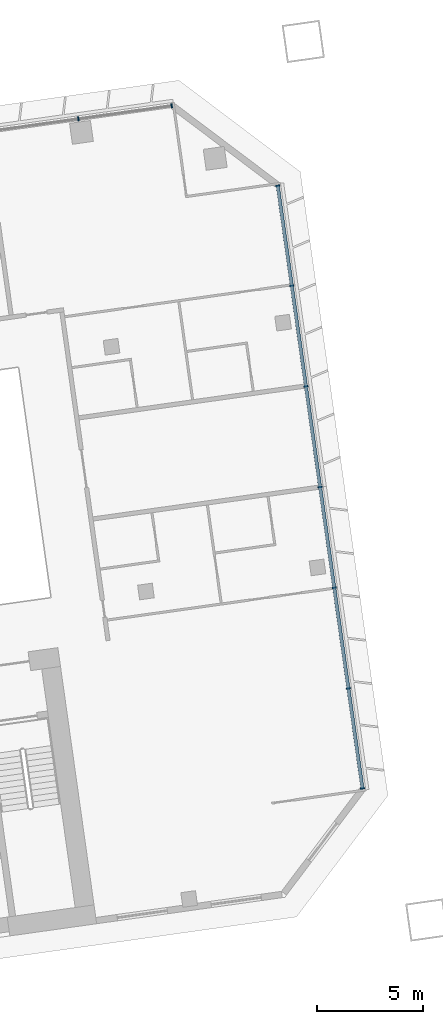
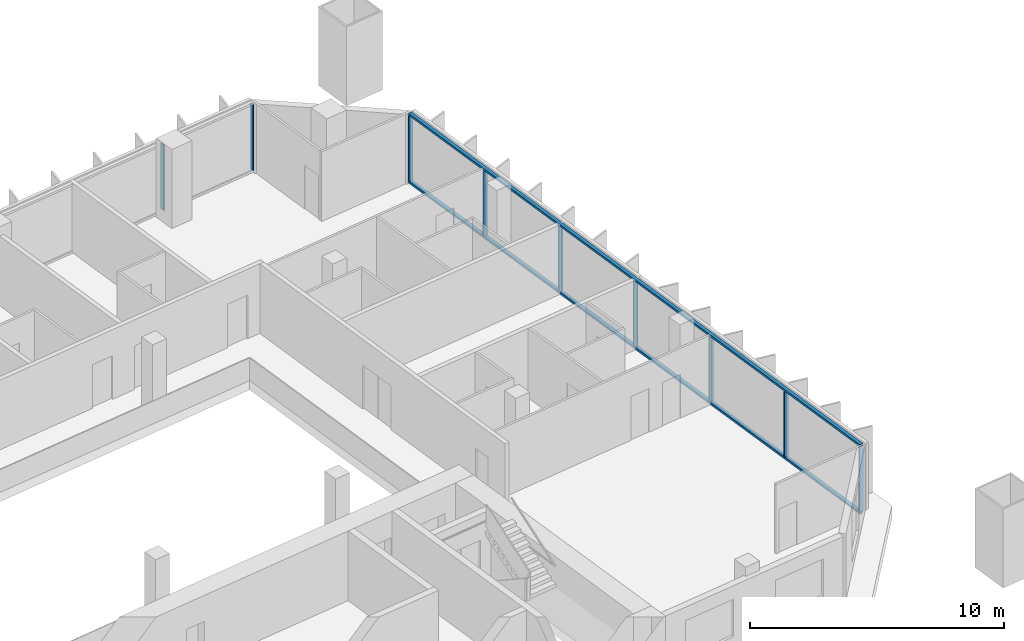
# One storey, part 11 of 24: 11 members, 2 elements without a shape of their own.
"""IFC4 building model written with IfcOpenShell, lengths in metres."""

from ifc_helpers import new_model, si_unit, direction, frame, origin, origin_2d, place, context, subcontext, project, spatial, rectangle, extrude, material, material_profile, profile_set, type_object, element, aggregate, save


model = new_model("IFC4")

# Units and contexts
model_context = context("Model", 3, precision=1e-05, world=origin(), true_north=direction((0.0, 1.0)))
body_context = subcontext(model_context, "Body", "Model", "MODEL_VIEW")
ifc_project = project(units=[si_unit("LENGTHUNIT", "METRE"), si_unit("AREAUNIT", "SQUARE_METRE"), si_unit("VOLUMEUNIT", "CUBIC_METRE"), si_unit("PLANEANGLEUNIT", "RADIAN"), si_unit("MASSUNIT", "GRAM", prefix="KILO")], contexts=[model_context])

# Site, building, storey
site_placement = place(None, origin())
site = spatial("IfcSite", under=ifc_project, at=site_placement, CompositionType="ELEMENT")
building_placement = place(site_placement, origin())
building = spatial("IfcBuilding", under=site, at=building_placement, Name="Mirante Cascada Hotel Towers", CompositionType="ELEMENT")
storey_placement = place(building_placement, frame((0.0, 0.0, 50.9)))
storey = spatial("IfcBuildingStorey", under=building, at=storey_placement, Name="L09", CompositionType="ELEMENT", Elevation=50.9)

# Curtain wall, members
ifc_material_1 = material(Name="Aluminium mullion and transom frame with clear laminated glass", Category="aluminium")
curtain_wall_type_1 = type_object("IfcCurtainWallType", Name="Ribbon curtain wall ECW1", PredefinedType="NOTDEFINED", material=ifc_material_1)
curtain_wall_1_placement = place(storey_placement, origin())
curtain_wall_1 = element("IfcCurtainWall", 1, at=curtain_wall_1_placement, inside=storey, type_object=curtain_wall_type_1, Name="Front ribbon wall T2 L09", PredefinedType="NOTDEFINED")
ifc_material_2 = material(Name="Anodised aluminium extrusion", Category="aluminium")
ifc_material_profile_1 = material_profile(ifc_material_2, rectangle(XDim=0.2, YDim=0.065, at=origin_2d()), Name="ECW1 MULLION 65x200")
ifc_profile_set_1 = profile_set([ifc_material_profile_1], Name="Anodised aluminium extrusion")
member_type_1 = type_object("IfcMemberType", Name="ECW1 mullion 65x200", PredefinedType="MULLION", material=ifc_profile_set_1)
member_1_placement = place(storey_placement, frame((94.126, 26.0476, 0.1), z_axis=(0.0, 0.0, 1.0), x_axis=(0.1391731, -0.9902681, 0.0)))
member_1 = element("IfcMember", 2, at=member_1_placement, type_object=member_type_1, Name="ECW1 mullion 1", PredefinedType="MULLION", context=body_context, shape_type="SweptSolid", body=[
    extrude(rectangle(XDim=0.2, YDim=0.065, at=origin_2d()), origin(), (0.0, 0.0, 1.0), 3.15),
])
member_2_placement = place(storey_placement, frame((89.7107, 25.427, 0.1), z_axis=(0.0, 0.0, 1.0), x_axis=(0.1391731, -0.9902681, 0.0)))
member_2 = element("IfcMember", 3, at=member_2_placement, type_object=member_type_1, Name="ECW1 mullion 2", PredefinedType="MULLION", context=body_context, shape_type="SweptSolid", body=[
    extrude(rectangle(XDim=0.2, YDim=0.065, at=origin_2d()), origin(), (0.0, 0.0, 1.0), 3.15),
])
aggregate(curtain_wall_1, [member_1, member_2])

ifc_material_3 = material(Name="Aluminium mullion and transom frame with clear laminated glass", Category="aluminium")
curtain_wall_type_2 = type_object("IfcCurtainWallType", Name="End ribbon curtain wall ECW2", PredefinedType="NOTDEFINED", material=ifc_material_3)
curtain_wall_2_placement = place(storey_placement, origin())
curtain_wall_2 = element("IfcCurtainWall", 4, at=curtain_wall_2_placement, inside=storey, type_object=curtain_wall_type_2, Name="Outer end wall T2 L09", PredefinedType="NOTDEFINED")
ifc_material_4 = material(Name="Anodised aluminium extrusion", Category="aluminium")
ifc_material_profile_2 = material_profile(ifc_material_4, rectangle(XDim=0.2, YDim=0.065, at=origin_2d()), Name="ECW2 MULLION 65x200")
ifc_profile_set_2 = profile_set([ifc_material_profile_2], Name="Anodised aluminium extrusion")
member_type_2 = type_object("IfcMemberType", Name="ECW2 mullion 65x200", PredefinedType="MULLION", material=ifc_profile_set_2)
member_3_placement = place(storey_placement, frame((103.1556, -6.2656, 0.1), z_axis=(0.0, 0.0, 1.0), x_axis=(-0.9902681, -0.1391731, 0.0)))
member_3 = element("IfcMember", 5, at=member_3_placement, type_object=member_type_2, Name="ECW2 mullion 1", PredefinedType="MULLION", context=body_context, shape_type="SweptSolid", body=[
    extrude(rectangle(XDim=0.2, YDim=0.065, at=origin_2d()), origin(), (0.0, 0.0, 1.0), 3.15),
])
member_4_placement = place(storey_placement, frame((102.4903, -1.532, 0.1), z_axis=(0.0, 0.0, 1.0), x_axis=(-0.9902681, -0.1391731, 0.0)))
member_4 = element("IfcMember", 6, at=member_4_placement, type_object=member_type_2, Name="ECW2 mullion 2", PredefinedType="MULLION", context=body_context, shape_type="SweptSolid", body=[
    extrude(rectangle(XDim=0.2, YDim=0.065, at=origin_2d()), origin(), (0.0, 0.0, 1.0), 3.15),
])
member_5_placement = place(storey_placement, frame((101.8205, 3.2338, 0.1), z_axis=(0.0, 0.0, 1.0), x_axis=(-0.9902681, -0.1391731, 0.0)))
member_5 = element("IfcMember", 7, at=member_5_placement, type_object=member_type_2, Name="ECW2 mullion 3", PredefinedType="MULLION", context=body_context, shape_type="SweptSolid", body=[
    extrude(rectangle(XDim=0.2, YDim=0.065, at=origin_2d()), origin(), (0.0, 0.0, 1.0), 3.15),
])
member_6_placement = place(storey_placement, frame((101.1508, 7.9996, 0.1), z_axis=(0.0, 0.0, 1.0), x_axis=(-0.9902681, -0.1391731, 0.0)))
member_6 = element("IfcMember", 8, at=member_6_placement, type_object=member_type_2, Name="ECW2 mullion 4", PredefinedType="MULLION", context=body_context, shape_type="SweptSolid", body=[
    extrude(rectangle(XDim=0.2, YDim=0.065, at=origin_2d()), origin(), (0.0, 0.0, 1.0), 3.15),
])
member_7_placement = place(storey_placement, frame((100.481, 12.7654, 0.1), z_axis=(0.0, 0.0, 1.0), x_axis=(-0.9902681, -0.1391731, 0.0)))
member_7 = element("IfcMember", 9, at=member_7_placement, type_object=member_type_2, Name="ECW2 mullion 5", PredefinedType="MULLION", context=body_context, shape_type="SweptSolid", body=[
    extrude(rectangle(XDim=0.2, YDim=0.065, at=origin_2d()), origin(), (0.0, 0.0, 1.0), 3.15),
])
member_8_placement = place(storey_placement, frame((99.8112, 17.5312, 0.1), z_axis=(0.0, 0.0, 1.0), x_axis=(-0.9902681, -0.1391731, 0.0)))
member_8 = element("IfcMember", 10, at=member_8_placement, type_object=member_type_2, Name="ECW2 mullion 6", PredefinedType="MULLION", context=body_context, shape_type="SweptSolid", body=[
    extrude(rectangle(XDim=0.2, YDim=0.065, at=origin_2d()), origin(), (0.0, 0.0, 1.0), 3.15),
])
member_9_placement = place(storey_placement, frame((99.1459, 22.2648, 0.1), z_axis=(0.0, 0.0, 1.0), x_axis=(-0.9902681, -0.1391731, 0.0)))
member_9 = element("IfcMember", 11, at=member_9_placement, type_object=member_type_2, Name="ECW2 mullion 7", PredefinedType="MULLION", context=body_context, shape_type="SweptSolid", body=[
    extrude(rectangle(XDim=0.2, YDim=0.065, at=origin_2d()), origin(), (0.0, 0.0, 1.0), 3.15),
])
ifc_material_5 = material(Name="Anodised aluminium extrusion", Category="aluminium")
ifc_material_profile_3 = material_profile(ifc_material_5, rectangle(XDim=0.16, YDim=0.1, at=origin_2d()), Name="ECW2 TRANSOM 100x160")
ifc_profile_set_3 = profile_set([ifc_material_profile_3], Name="Anodised aluminium extrusion")
member_type_3 = type_object("IfcMemberType", Name="ECW2 transom 100x160", PredefinedType="USERDEFINED", material=ifc_profile_set_3)
member_10_placement = place(storey_placement, frame((103.1601, -6.2978, 0.05), z_axis=(-0.1391723, 0.9902682, 0.0), x_axis=(-0.9902682, -0.1391723, 0.0)))
member_10 = element("IfcMember", 12, at=member_10_placement, type_object=member_type_3, Name="ECW2 sill transom", ObjectType="TRANSOM", PredefinedType="USERDEFINED", context=body_context, shape_type="SweptSolid", body=[
    extrude(rectangle(XDim=0.16, YDim=0.1, at=origin_2d()), origin(), (0.0, 0.0, 1.0), 28.8757),
])
member_11_placement = place(storey_placement, frame((103.1601, -6.2978, 3.3), z_axis=(-0.1391723, 0.9902682, 0.0), x_axis=(-0.9902682, -0.1391723, 0.0)))
member_11 = element("IfcMember", 13, at=member_11_placement, type_object=member_type_3, Name="ECW2 head transom", ObjectType="TRANSOM", PredefinedType="USERDEFINED", context=body_context, shape_type="SweptSolid", body=[
    extrude(rectangle(XDim=0.16, YDim=0.1, at=origin_2d()), origin(), (0.0, 0.0, 1.0), 28.8757),
])
aggregate(curtain_wall_2, [member_10, member_11, member_3, member_4, member_5, member_6, member_7, member_8, member_9])

save(model, "model.ifc")
